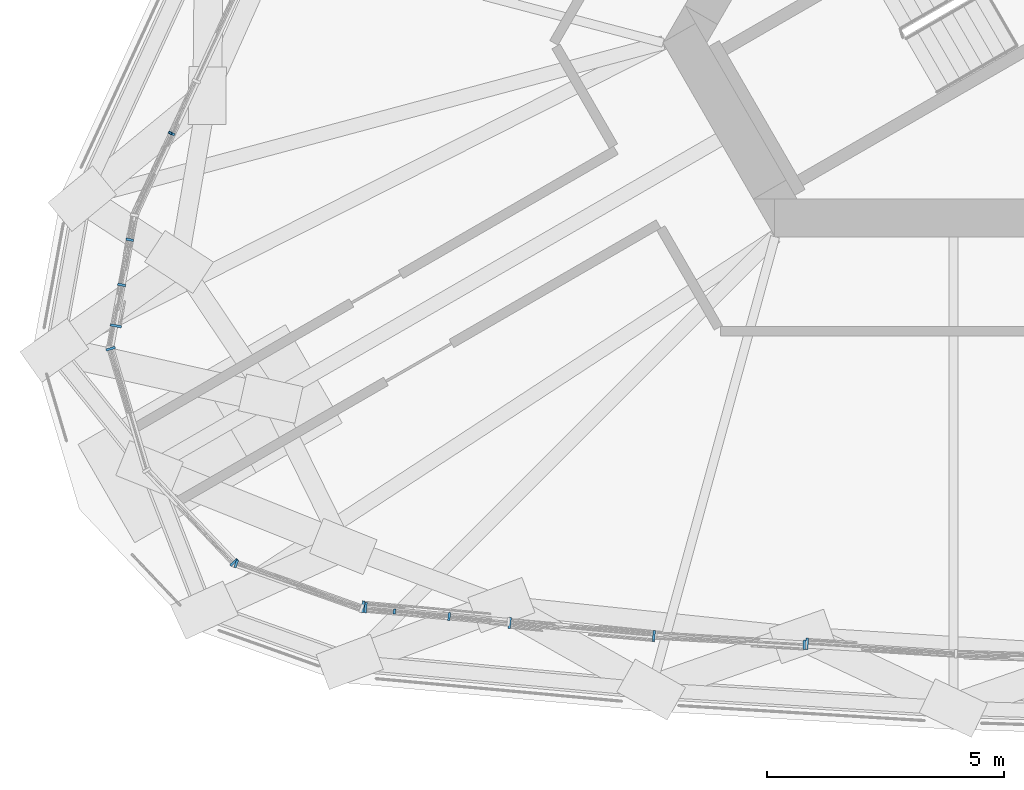
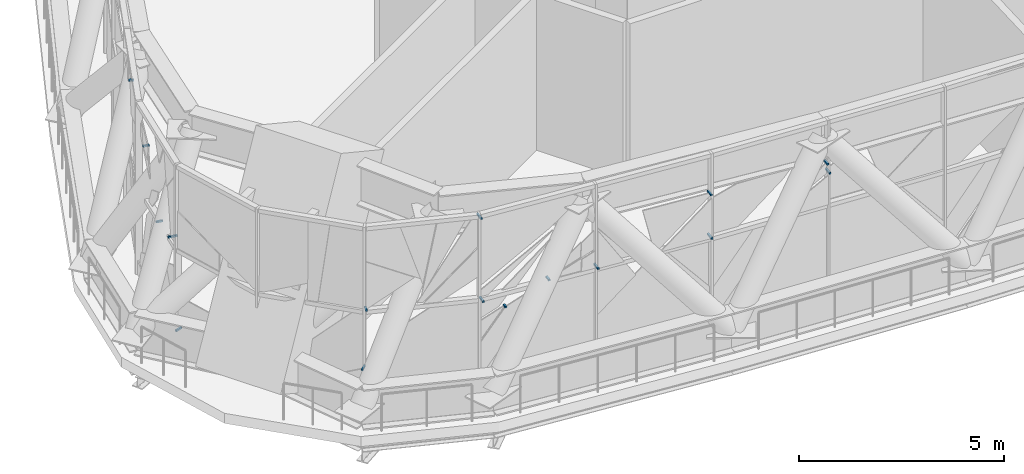
# One storey, part 27 of 35: 17 discrete accessories, 3 elements without a shape of their own.
"""IFC4 building model written with IfcOpenShell, lengths in metres."""

import ifcopenshell
import ifcopenshell.guid

model = None  # the IFC model being written
_history = None  # IfcOwnerHistory: only IFC2X3 demands one
_inside = {}  # id of a spatial element -> (the spatial element, [elements in it])
_under = {}  # id of a project, library or spatial element -> (it, [spatial elements below it])
_declared = {}  # id of a project -> (the project, [libraries it declares])
_typed = {}  # id of a type object -> (the type object, [elements of that type])
_made_of = {}  # id of a material, layer set ... -> (it, [elements and type objects made of it])


def new_model(schema):
    """Start an empty IFC model of exactly this schema.

    Asked for "IFC4X3", IfcOpenShell would pick the latest addendum, in which some entities
    have other attributes; the version numbers below select the first issue.
    IFC2X3 requires an IfcOwnerHistory on every rooted entity: one is made here for all.
    """
    global model, _history
    if schema == "IFC4X3":
        model = ifcopenshell.file(schema_version=(4, 3, 0, 0))
    else:
        model = ifcopenshell.file(schema=schema)
    _inside.clear()
    _under.clear()
    _declared.clear()
    _typed.clear()
    _made_of.clear()
    _history = None
    if model.schema == "IFC2X3":
        org = make("IfcOrganization", Name="unknown")
        user = make(
            "IfcPersonAndOrganization",
            ThePerson=make("IfcPerson", FamilyName="unknown"),
            TheOrganization=org,
        )
        app = make(
            "IfcApplication",
            ApplicationDeveloper=org,
            Version="unknown",
            ApplicationFullName="unknown",
            ApplicationIdentifier="unknown",
        )
        _history = make(
            "IfcOwnerHistory",
            OwningUser=user,
            OwningApplication=app,
            ChangeAction="ADDED",
            CreationDate=0,
        )
    return model


def make(cls, **values):
    """One entity of the class cls with the attributes given. An attribute that is None is left unset."""
    return model.create_entity(
        cls, **{name: value for name, value in values.items() if value is not None}
    )


def rooted(cls, **values):
    """An entity with a GlobalId (a new one), such as an element, a storey or a relation."""
    return make(cls, GlobalId=ifcopenshell.guid.new(), OwnerHistory=_history, **values)


def si_unit(unit_type, name, prefix=None):
    """IfcSIUnit, for example si_unit("LENGTHUNIT", "METRE", prefix="MILLI")."""
    return make("IfcSIUnit", UnitType=unit_type, Prefix=prefix, Name=name)


def assignment(units):
    """IfcUnitAssignment: the units of a project."""
    return None if units is None else make("IfcUnitAssignment", Units=units)


def point(xyz):
    """IfcCartesianPoint."""
    return None if xyz is None else make("IfcCartesianPoint", Coordinates=xyz)


def direction(xyz):
    """IfcDirection."""
    return None if xyz is None else make("IfcDirection", DirectionRatios=xyz)


def frame(location, z_axis=None, x_axis=None):
    """IfcAxis2Placement3D, a coordinate frame: its origin and axes. An axis left out is left unset."""
    return make(
        "IfcAxis2Placement3D",
        Location=point(location),
        Axis=direction(z_axis),
        RefDirection=direction(x_axis),
    )


def frame_2d(location, x_axis=None):
    """IfcAxis2Placement2D, a coordinate frame in the plane: its origin and x axis."""
    return make(
        "IfcAxis2Placement2D", Location=point(location), RefDirection=direction(x_axis)
    )


def origin():
    """The frame at (0, 0, 0) with its axes left unset."""
    return frame((0.0, 0.0, 0.0))


def origin_2d():
    """The frame at (0, 0) in the plane with its x axis left unset."""
    return frame_2d((0.0, 0.0))


def place(relative_to, where):
    """IfcLocalPlacement: puts the frame where relative to a parent placement (None: the world)."""
    return make(
        "IfcLocalPlacement", PlacementRelTo=relative_to, RelativePlacement=where
    )


def context(
    kind, dimensions, precision=None, world=None, true_north=None, identifier=None
):
    """IfcGeometricRepresentationContext, for example the 3D "Model" context."""
    return make(
        "IfcGeometricRepresentationContext",
        ContextIdentifier=identifier,
        ContextType=kind,
        CoordinateSpaceDimension=dimensions,
        Precision=precision,
        WorldCoordinateSystem=world,
        TrueNorth=true_north,
    )


def subcontext(parent, identifier, kind, view, scale=None):
    """IfcGeometricRepresentationSubContext, for example "Body" below "Model"."""
    return make(
        "IfcGeometricRepresentationSubContext",
        ContextIdentifier=identifier,
        ContextType=kind,
        ParentContext=parent,
        TargetScale=scale,
        TargetView=view,
    )


def project(units=None, contexts=None):
    """IfcProject with its units and contexts."""
    return rooted(
        "IfcProject",
        Name="project",
        RepresentationContexts=contexts,
        UnitsInContext=assignment(units),
    )


def spatial(cls, under=None, at=None, **own):
    """A site, building, storey or space (cls), placed at a placement, below another one or the project."""
    s = rooted(cls, ObjectPlacement=at, **own)
    if under is not None:
        _under.setdefault(under.id(), (under, []))[1].append(s)
    return s


def profile(cls, at=None, kind="AREA", **sizes):
    """A parametric profile (cls). Its sizes go by their IFC names, for example OverallWidth=200.0."""
    return make(cls, ProfileType=kind, Position=at, **sizes)


def rectangle(**sizes):
    """IfcRectangleProfileDef."""
    return profile("IfcRectangleProfileDef", **sizes)


def extrude(swept, where, along, depth):
    """IfcExtrudedAreaSolid: the profile swept, set in the frame where, extruded along a direction by depth."""
    return make(
        "IfcExtrudedAreaSolid",
        SweptArea=swept,
        Position=where,
        ExtrudedDirection=direction(along),
        Depth=depth,
    )


def shape(context_of_items, identifier, shape_type, items):
    """IfcShapeRepresentation: the items that make up one representation, for example the "Body"."""
    return make(
        "IfcShapeRepresentation",
        ContextOfItems=context_of_items,
        RepresentationIdentifier=identifier,
        RepresentationType=shape_type,
        Items=items,
    )


def material(Name=None, Category=None):
    """IfcMaterial."""
    return make("IfcMaterial", Name=Name, Category=Category)


def layer(
    of_material, thickness, ventilated=None, Name=None, Category=None, Priority=None
):
    """IfcMaterialLayer: one layer of a wall or slab, of a material (None: an air gap)."""
    return make(
        "IfcMaterialLayer",
        Material=of_material,
        LayerThickness=thickness,
        IsVentilated=ventilated,
        Name=Name,
        Category=Category,
        Priority=Priority,
    )


def layer_set(layers, Name=None):
    """IfcMaterialLayerSet."""
    return make("IfcMaterialLayerSet", MaterialLayers=layers, LayerSetName=Name)


def made_of(thing, what):
    """Note that an element or type object is made of a material, layer set ...; save() writes the relation."""
    if what is not None:
        _made_of.setdefault(what.id(), (what, []))[1].append(thing)
    return thing


def type_object(cls, material=None, **own):
    """A type object (cls), such as IfcWallType, which elements share."""
    return made_of(rooted(cls, **own), material)


def element(
    cls,
    number,
    at=None,
    inside=None,
    cuts=None,
    type_object=None,
    material=None,
    context=None,
    identifier="Body",
    shape_type=None,
    held_by="IfcProductDefinitionShape",
    body=None,
    shapes=None,
    **own,
):
    """One element of the class cls, such as IfcWall. Its Tag is "e" and its number.

    at: its placement. inside: the storey or other place that contains it. cuts: it is an
    opening in that element (IfcRelVoidsElement). A single representation is given by context,
    identifier, shape_type and body (its items); several are given by shapes. held_by: the class
    of the entity that holds the representations. save() writes the other relations.
    """
    e = rooted(cls, Tag="e%d" % number, ObjectPlacement=at, **own)
    if body is not None:
        shapes = [shape(context, identifier, shape_type, body)]
    if shapes is not None:
        e.Representation = make(held_by, Representations=shapes)
    if inside is not None:
        _inside.setdefault(inside.id(), (inside, []))[1].append(e)
    if cuts is not None:
        rooted(
            "IfcRelVoidsElement", RelatingBuildingElement=cuts, RelatedOpeningElement=e
        )
    if type_object is not None:
        _typed.setdefault(type_object.id(), (type_object, []))[1].append(e)
    return made_of(e, material)


def aggregate(whole, parts):
    """IfcRelAggregates: a whole, such as a stair, and the parts it consists of."""
    return rooted("IfcRelAggregates", RelatingObject=whole, RelatedObjects=parts)


def save(model, path):
    """Write the relations noted so far, then the file.

    IfcRelAggregates (storeys below a building ...), IfcRelContainedInSpatialStructure (elements
    in a storey), IfcRelDefinesByType, IfcRelAssociatesMaterial and IfcRelDeclares: one each for
    every whole, place, type object, material and project.
    """
    for whole, parts in _under.values():
        aggregate(whole, parts)
    for where, things in _inside.values():
        rooted(
            "IfcRelContainedInSpatialStructure",
            RelatedElements=things,
            RelatingStructure=where,
        )
    for kind, things in _typed.values():
        rooted("IfcRelDefinesByType", RelatedObjects=things, RelatingType=kind)
    for what, things in _made_of.values():
        rooted("IfcRelAssociatesMaterial", RelatedObjects=things, RelatingMaterial=what)
    for by, libraries in _declared.values():
        rooted("IfcRelDeclares", RelatingContext=by, RelatedDefinitions=libraries)
    model.write(path)


model = new_model("IFC4")

# Units and contexts
model_context = context("Model", 3, precision=1e-05, world=origin(), true_north=direction((0.0, 1.0)))
body_context = subcontext(model_context, "Body", "Model", "MODEL_VIEW")
ifc_project = project(units=[si_unit("LENGTHUNIT", "METRE"), si_unit("AREAUNIT", "SQUARE_METRE"), si_unit("VOLUMEUNIT", "CUBIC_METRE"), si_unit("PLANEANGLEUNIT", "RADIAN"), si_unit("MASSUNIT", "GRAM", prefix="KILO")], contexts=[model_context])

# Site, building, storey
site_placement = place(None, origin())
site = spatial("IfcSite", under=ifc_project, at=site_placement, CompositionType="ELEMENT")
building_placement = place(site_placement, origin())
building = spatial("IfcBuilding", under=site, at=building_placement, Name="Mestral Congress Tower", CompositionType="ELEMENT")
storey_placement = place(building_placement, frame((0.0, 0.0, 196.199951171875)))
storey = spatial("IfcBuildingStorey", under=building, at=storey_placement, Name="L46", CompositionType="ELEMENT", Elevation=196.199951171875)

# Curtain wall, discrete accessories
ifc_material_1 = material(Name="Clear low-emissivity double glazing", Category="glass")
curtain_wall_type = type_object("IfcCurtainWallType", Name="Facade refuge band screen", PredefinedType="USERDEFINED", material=ifc_material_1)
placement = place(storey_placement, origin())
curtain_wall_1 = element("IfcCurtainWall", 1, at=placement, inside=storey, type_object=curtain_wall_type, Name="Facade refuge band screen face 1", ObjectType="CURTAIN WALL", PredefinedType="USERDEFINED")
ifc_material_2 = material(Name="Steel S355", Category="steel")
ifc_layer = layer(ifc_material_2, 0.050048828125)
ifc_layer_set = layer_set([ifc_layer], Name="Steel S355")
discrete_accessory_type = type_object("IfcDiscreteAccessoryType", Name="Facade bracket", PredefinedType="BRACKET", material=ifc_layer_set)
discrete_accessory_1_placement = place(storey_placement, frame((-21.4130859375, -18.37158203125, 2.158447265625), z_axis=(0.0, 0.0, 1.0), x_axis=(0.995816896577, -0.09137126732, 0.0)))
discrete_accessory_1 = element("IfcDiscreteAccessory", 2, at=discrete_accessory_1_placement, type_object=discrete_accessory_type, Name="Facade bracket", PredefinedType="BRACKET", context=body_context, shape_type="SweptSolid", body=[
    extrude(rectangle(XDim=0.05078125, YDim=0.10986328125, at=origin_2d()), origin(), (0.0, 0.0, 1.0), 0.05078125),
])
discrete_accessory_2_placement = place(storey_placement, frame((-22.019775390625, -18.287109375, 2.51513671875), z_axis=(0.0, 0.0, 1.0), x_axis=(0.995809717223, -0.091449478314, 0.0)))
discrete_accessory_2 = element("IfcDiscreteAccessory", 3, at=discrete_accessory_2_placement, type_object=discrete_accessory_type, Name="Facade bracket", PredefinedType="BRACKET", context=body_context, shape_type="SweptSolid", body=[
    extrude(rectangle(XDim=0.050048828125, YDim=0.222412109375, at=origin_2d()), origin(), (0.0, 0.0, 1.0), 0.050048828125),
])
discrete_accessory_3_placement = place(storey_placement, frame((-20.255615234375, -18.476318359375, 2.63525390625), z_axis=(0.0, 0.0, 1.0), x_axis=(0.995813866044, -0.091404289808, 0.0)))
discrete_accessory_3 = element("IfcDiscreteAccessory", 4, at=discrete_accessory_3_placement, type_object=discrete_accessory_type, Name="Facade bracket", PredefinedType="BRACKET", context=body_context, shape_type="SweptSolid", body=[
    extrude(rectangle(XDim=0.050048828125, YDim=0.169921875, at=origin_2d()), origin(), (0.0, 0.0, 1.0), 0.053466796875),
])
discrete_accessory_4_placement = place(storey_placement, frame((-22.07470703125, -18.268798828125, 5.0048828125), z_axis=(0.0, 0.0, 1.0), x_axis=(0.995808759512, -0.091459906404, 0.0)))
discrete_accessory_4 = element("IfcDiscreteAccessory", 5, at=discrete_accessory_4_placement, type_object=discrete_accessory_type, Name="Facade bracket", PredefinedType="BRACKET", context=body_context, shape_type="SweptSolid", body=[
    extrude(rectangle(XDim=0.050048828125, YDim=0.248291015625, at=origin_2d()), origin(), (0.0, 0.0, 1.0), 0.050048828125),
])
discrete_accessory_5_placement = place(storey_placement, frame((-15.92822265625, -18.891357421875, 2.63525390625), z_axis=(0.0, 0.0, 1.0), x_axis=(0.995810674825, -0.091439050214, 0.0)))
discrete_accessory_5 = element("IfcDiscreteAccessory", 6, at=discrete_accessory_5_placement, type_object=discrete_accessory_type, Name="Facade bracket", PredefinedType="BRACKET", context=body_context, shape_type="SweptSolid", body=[
    extrude(rectangle(XDim=0.05029296875, YDim=0.23681640625, at=origin_2d()), origin(), (0.0, 0.0, 1.0), 0.050048828125),
])
discrete_accessory_6_placement = place(storey_placement, frame((-15.926513671875, -18.872314453125, 3.9130859375), z_axis=(0.0, 0.0, 1.0), x_axis=(0.995806205081, -0.091487714595, 0.0)))
discrete_accessory_6 = element("IfcDiscreteAccessory", 7, at=discrete_accessory_6_placement, type_object=discrete_accessory_type, Name="Facade bracket", PredefinedType="BRACKET", context=body_context, shape_type="SweptSolid", body=[
    extrude(rectangle(XDim=0.050048828125, YDim=0.199951171875, at=origin_2d()), origin(), (0.0, 0.0, 1.0), 0.050048828125),
])
discrete_accessory_7_placement = place(storey_placement, frame((-18.974365234375, -18.61279296875, 2.63525390625), z_axis=(0.0, 0.0, 1.0), x_axis=(0.995811472744, -0.091430360123, 0.0)))
discrete_accessory_7 = element("IfcDiscreteAccessory", 8, at=discrete_accessory_7_placement, type_object=discrete_accessory_type, Name="Facade bracket", PredefinedType="BRACKET", context=body_context, shape_type="SweptSolid", body=[
    extrude(rectangle(XDim=0.050048828125, YDim=0.23876953125, at=origin_2d()), origin(), (0.0, 0.0, 1.0), 0.050048828125),
])
discrete_accessory_8_placement = place(storey_placement, frame((-12.748291015625, -19.070556640625, 3.83251953125), z_axis=(0.0, 0.0, 1.0), x_axis=(0.998150852779, -0.060785484265, 0.0)))
discrete_accessory_8 = element("IfcDiscreteAccessory", 9, at=discrete_accessory_8_placement, type_object=discrete_accessory_type, Name="Facade bracket", PredefinedType="BRACKET", context=body_context, shape_type="SweptSolid", body=[
    extrude(rectangle(XDim=0.053955078125, YDim=0.199951171875, at=origin_2d()), origin(), (0.0, 0.0, 1.0), 0.050048828125),
])
discrete_accessory_9_placement = place(storey_placement, frame((-12.68994140625, -19.050537109375, 3.54052734375), z_axis=(0.0, 0.0, 1.0), x_axis=(0.998133945926, -0.06106247612, 0.0)))
discrete_accessory_9 = element("IfcDiscreteAccessory", 10, at=discrete_accessory_9_placement, type_object=discrete_accessory_type, Name="Facade bracket", PredefinedType="BRACKET", context=body_context, shape_type="SweptSolid", body=[
    extrude(rectangle(XDim=0.051513671875, YDim=0.240234375, at=origin_2d()), origin(), (0.0, 0.0, 1.0), 0.050048828125),
])
aggregate(curtain_wall_1, [discrete_accessory_1, discrete_accessory_2, discrete_accessory_3, discrete_accessory_4, discrete_accessory_5, discrete_accessory_6, discrete_accessory_7, discrete_accessory_8, discrete_accessory_9])

curtain_wall_2 = element("IfcCurtainWall", 11, at=placement, inside=storey, type_object=curtain_wall_type, Name="Facade refuge band screen face 3", ObjectType="CURTAIN WALL", PredefinedType="USERDEFINED")
discrete_accessory_10_placement = place(storey_placement, frame((-26.096435546875, -8.27783203125, 4.41455078125), z_axis=(0.0, 0.0, 1.0), x_axis=(-0.418876871779, -0.90804304209, 0.0)))
discrete_accessory_10 = element("IfcDiscreteAccessory", 12, at=discrete_accessory_10_placement, type_object=discrete_accessory_type, Name="Facade bracket", PredefinedType="BRACKET", context=body_context, shape_type="SweptSolid", body=[
    extrude(rectangle(XDim=0.05078125, YDim=0.078369140625, at=origin_2d()), origin(), (0.0, 0.0, 1.0), 0.051025390625),
])
discrete_accessory_11_placement = place(storey_placement, frame((-26.151123046875, -8.254150390625, 4.4169921875), z_axis=(0.0, 0.0, 1.0), x_axis=(-0.418803968061, -0.908076668754, 0.0)))
discrete_accessory_11 = element("IfcDiscreteAccessory", 13, at=discrete_accessory_11_placement, type_object=discrete_accessory_type, Name="Facade bracket", PredefinedType="BRACKET", context=body_context, shape_type="SweptSolid", body=[
    extrude(rectangle(XDim=0.050048828125, YDim=0.075927734375, at=origin_2d()), origin(), (0.0, 0.0, 1.0), 0.050048828125),
])
aggregate(curtain_wall_2, [discrete_accessory_10, discrete_accessory_11])

curtain_wall_3 = element("IfcCurtainWall", 14, at=placement, inside=storey, type_object=curtain_wall_type, Name="Facade refuge band screen corner 3", ObjectType="CURTAIN WALL", PredefinedType="USERDEFINED")
discrete_accessory_12_placement = place(storey_placement, frame((-27.41162109375, -12.81640625, 0.2001953125), z_axis=(0.0, 0.0, 1.0), x_axis=(0.284550806342, -0.958660961242, 0.0)))
discrete_accessory_12 = element("IfcDiscreteAccessory", 15, at=discrete_accessory_12_placement, type_object=discrete_accessory_type, Name="Facade bracket", PredefinedType="BRACKET", context=body_context, shape_type="SweptSolid", body=[
    extrude(rectangle(XDim=0.050048828125, YDim=0.199951171875, at=origin_2d()), origin(), (0.0, 0.0, 1.0), 0.050048828125),
])
discrete_accessory_13_placement = place(storey_placement, frame((-27.177978515625, -11.467529296875, 2.51513671875), z_axis=(0.0, 0.0, 1.0), x_axis=(-0.1807028243, -0.98353774167, 0.0)))
discrete_accessory_13 = element("IfcDiscreteAccessory", 16, at=discrete_accessory_13_placement, type_object=discrete_accessory_type, Name="Facade bracket", PredefinedType="BRACKET", context=body_context, shape_type="SweptSolid", body=[
    extrude(rectangle(XDim=0.050048828125, YDim=0.169921875, at=origin_2d()), origin(), (0.0, 0.0, 1.0), 0.050048828125),
])
discrete_accessory_14_placement = place(storey_placement, frame((-27.3017578125, -12.33203125, 2.63525390625), z_axis=(0.0, 0.0, 1.0), x_axis=(-0.180683941698, -0.983541210734, 0.0)))
discrete_accessory_14 = element("IfcDiscreteAccessory", 17, at=discrete_accessory_14_placement, type_object=discrete_accessory_type, Name="Facade bracket", PredefinedType="BRACKET", context=body_context, shape_type="SweptSolid", body=[
    extrude(rectangle(XDim=0.050048828125, YDim=0.238525390625, at=origin_2d()), origin(), (0.0, 0.0, 1.0), 0.050048828125),
])
discrete_accessory_15_placement = place(storey_placement, frame((-27.007080078125, -10.512451171875, 4.1337890625), z_axis=(0.0, 0.0, 1.0), x_axis=(-0.180658192587, -0.983545940692, 0.0)))
discrete_accessory_15 = element("IfcDiscreteAccessory", 18, at=discrete_accessory_15_placement, type_object=discrete_accessory_type, Name="Facade bracket", PredefinedType="BRACKET", context=body_context, shape_type="SweptSolid", body=[
    extrude(rectangle(XDim=0.05029296875, YDim=0.1630859375, at=origin_2d()), origin(), (0.0, 0.0, 1.0), 0.050048828125),
])
discrete_accessory_16_placement = place(storey_placement, frame((-24.80517578125, -17.330810546875, 0.873046875), z_axis=(0.0, 0.0, 1.0), x_axis=(0.68796960962, -0.725739496128, 0.0)))
discrete_accessory_16 = element("IfcDiscreteAccessory", 19, at=discrete_accessory_16_placement, type_object=discrete_accessory_type, Name="Facade bracket", PredefinedType="BRACKET", context=body_context, shape_type="SweptSolid", body=[
    extrude(rectangle(XDim=0.050048828125, YDim=0.199951171875, at=origin_2d()), origin(), (0.0, 0.0, 1.0), 0.050048828125),
])
discrete_accessory_17_placement = place(storey_placement, frame((-24.755859375, -17.36181640625, 2.63525390625), z_axis=(0.0, 0.0, 1.0), x_axis=(0.942089064169, -0.335362781437, 0.0)))
discrete_accessory_17 = element("IfcDiscreteAccessory", 20, at=discrete_accessory_17_placement, type_object=discrete_accessory_type, Name="Facade bracket", PredefinedType="BRACKET", context=body_context, shape_type="SweptSolid", body=[
    extrude(rectangle(XDim=0.050048828125, YDim=0.169921875, at=origin_2d()), origin(), (0.0, 0.0, 1.0), 0.050048828125),
])
aggregate(curtain_wall_3, [discrete_accessory_12, discrete_accessory_13, discrete_accessory_14, discrete_accessory_15, discrete_accessory_16, discrete_accessory_17])

save(model, "model.ifc")
